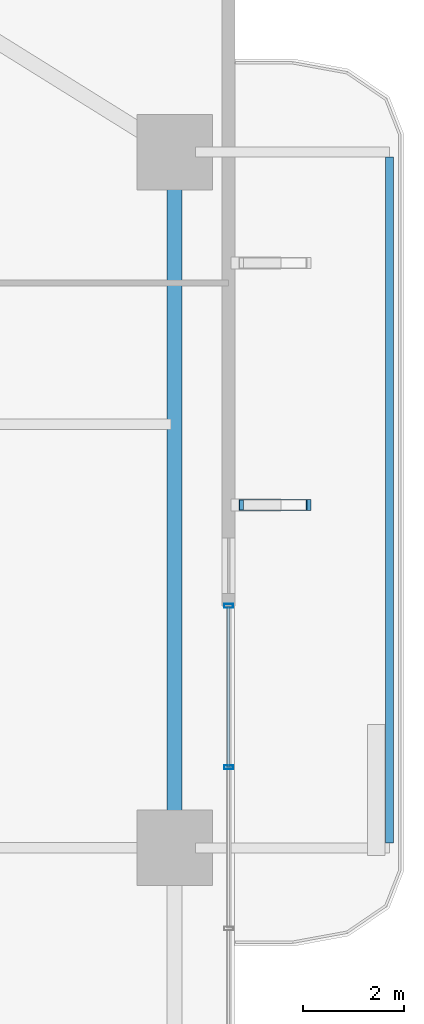
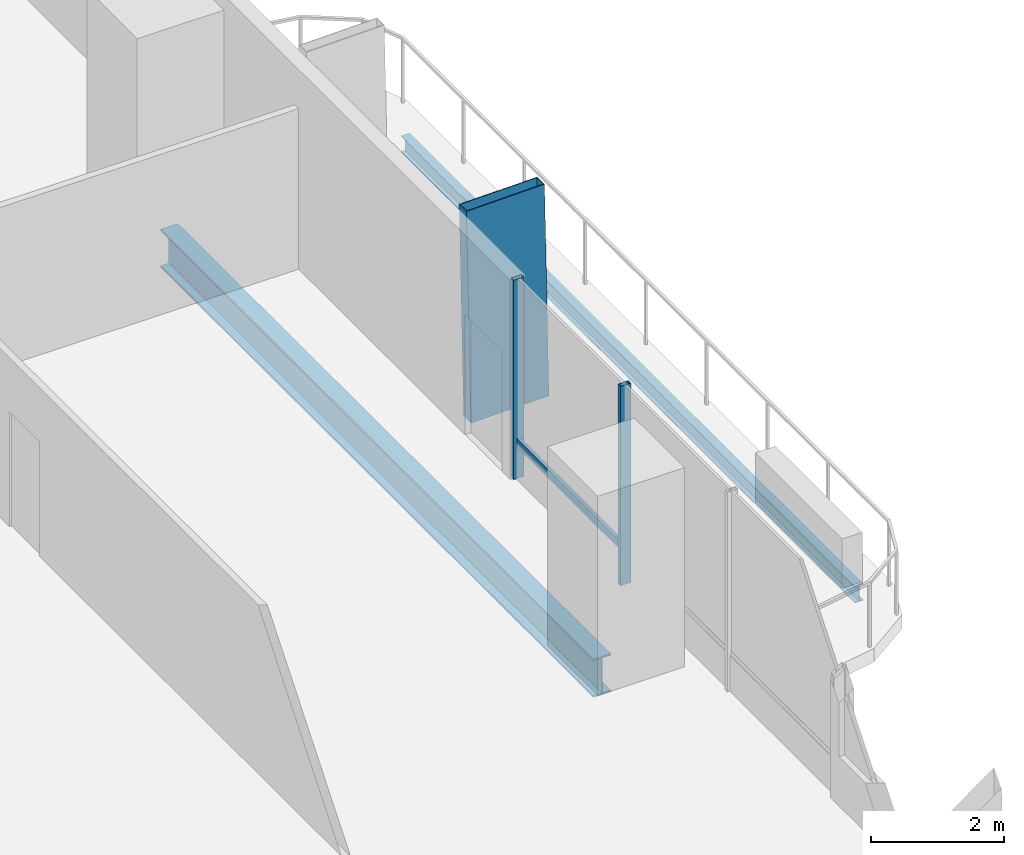
# One storey, part 13 of 24: 4 members, 2 beams, 1 element without a shape of its own.
"""IFC4 building model written with IfcOpenShell, lengths in metres."""

from ifc_helpers import new_model, si_unit, direction, frame, origin, origin_2d, place, context, subcontext, project, spatial, hollow_rectangle, i_section, extrude, material, layer, layer_set, material_profile, profile_set, type_object, element, aggregate, save


model = new_model("IFC4")

# Units and contexts
model_context = context("Model", 3, precision=1e-05, world=origin(), true_north=direction((0.0, 1.0)))
body_context = subcontext(model_context, "Body", "Model", "MODEL_VIEW")
ifc_project = project(units=[si_unit("LENGTHUNIT", "METRE"), si_unit("AREAUNIT", "SQUARE_METRE"), si_unit("VOLUMEUNIT", "CUBIC_METRE"), si_unit("PLANEANGLEUNIT", "RADIAN"), si_unit("MASSUNIT", "GRAM", prefix="KILO")], contexts=[model_context])

# Site, building, storey
site_placement = place(None, origin())
site = spatial("IfcSite", under=ifc_project, at=site_placement, CompositionType="ELEMENT")
building_placement = place(site_placement, origin())
building = spatial("IfcBuilding", under=site, at=building_placement, Name="Belovzor Exchange Tower", CompositionType="ELEMENT")
storey_placement = place(building_placement, frame((0.0, 0.0, 80.699951171875)))
storey = spatial("IfcBuildingStorey", under=building, at=storey_placement, Name="L19", CompositionType="ELEMENT", Elevation=80.699951171875)

# Member
ifc_material_1 = material(Name="Extruded Architectural Terracotta on Steel S355 Carrier", Category="masonry")
ifc_material_profile_1 = material_profile(ifc_material_1, hollow_rectangle(XDim=0.219970703125, YDim=1.35009765625, WallThickness=0.013916015625, at=origin_2d()))
ifc_profile_set_1 = profile_set([ifc_material_profile_1], Name="Extruded Architectural Terracotta on Steel S355 Carrier")
member_type_1 = type_object("IfcMemberType", Name="Base Arc Sweeping Terracotta Pylon Fin 1450", PredefinedType="USERDEFINED", material=ifc_profile_set_1)
member_1_placement = place(storey_placement, frame((57.528076171875, 35.60009765625, -0.25), z_axis=(-0.020027281305, 0.0, 0.999799433888), x_axis=(0.0, -1.0, 0.0)))
element("IfcMember", 1, at=member_1_placement, inside=storey, type_object=member_type_1, Name="FIN-TC145 Terracotta Facade Fin L19 E3", ObjectType="FIN", PredefinedType="USERDEFINED", context=body_context, shape_type="SweptSolid", body=[
    extrude(hollow_rectangle(XDim=0.219970703125, YDim=1.35009765625, WallThickness=0.013916015625, at=origin_2d()), origin(), (0.0, 0.0, 1.0), 3.90087890625),
])

# Beam
ifc_material_2 = material(Name="Steel S355", Category="steel")
ifc_material_profile_2 = material_profile(ifc_material_2, i_section(OverallWidth=0.14990234375, OverallDepth=0.300048828125, WebThickness=0.007080078125, FlangeThickness=0.0107421875, at=origin_2d()))
ifc_profile_set_2 = profile_set([ifc_material_profile_2], Name="Steel S355")
beam_type_1 = type_object("IfcBeamType", Name="Planted Balcony Fascia Edge Beam IPE 300", PredefinedType="BEAM", material=ifc_profile_set_2)
beam_1_placement = place(storey_placement, frame((59.762939453125, 28.89990234375, -0.39990234375), z_axis=(0.0, 1.0, 0.0), x_axis=(-1.0, 0.0, 0.0)))
element("IfcBeam", 2, at=beam_1_placement, inside=storey, type_object=beam_type_1, Name="BC-300 Planted Balcony Fascia Edge Beam IPE 300", PredefinedType="BEAM", context=body_context, shape_type="SweptSolid", body=[
    extrude(i_section(OverallWidth=0.14990234375, OverallDepth=0.300048828125, WebThickness=0.007080078125, FlangeThickness=0.0107421875, at=origin_2d()), origin(), (0.0, 0.0, 1.0), 13.60009765625),
])

# Curtain wall, members
ifc_material_3 = material(Name="Anodised Aluminium Framing", Category="aluminium")
ifc_layer = layer(ifc_material_3, 0.179931640625)
ifc_layer_set = layer_set([ifc_layer], Name="Anodised Aluminium Framing")
curtain_wall_type = type_object("IfcCurtainWallType", Name="Recessed Loggia Low-Iron Triple-Glazed Curtain Wall", PredefinedType="NOTDEFINED", material=ifc_layer_set)
curtain_wall_placement = place(storey_placement, origin())
curtain_wall = element("IfcCurtainWall", 3, at=curtain_wall_placement, inside=storey, type_object=curtain_wall_type, Name="CW3 Recessed Loggia Low-Iron Triple-Glazed Curtain Wall L19", PredefinedType="NOTDEFINED")
ifc_material_4 = material(Name="Steel S355", Category="steel")
ifc_material_profile_3 = material_profile(ifc_material_4, hollow_rectangle(XDim=0.074951171875, YDim=0.179931640625, WallThickness=0.0048828125, at=origin_2d()))
ifc_profile_set_3 = profile_set([ifc_material_profile_3], Name="Steel S355")
member_type_2 = type_object("IfcMemberType", Name="Thermally Broken Curtain Wall Mullion 180x75", PredefinedType="MULLION", material=ifc_profile_set_3)
member_2_placement = place(storey_placement, frame((56.570068359375, 33.60009765625, 0.0), z_axis=(0.0, 0.0, 1.0), x_axis=(0.0, -1.0, 0.0)))
member_2 = element("IfcMember", 4, at=member_2_placement, type_object=member_type_2, Name="CW-M180 Curtain Wall Mullion 1", PredefinedType="MULLION", context=body_context, shape_type="SweptSolid", body=[
    extrude(hollow_rectangle(XDim=0.074951171875, YDim=0.179931640625, WallThickness=0.0048828125, at=origin_2d()), origin(), (0.0, 0.0, 1.0), 3.650146484375),
])
member_3_placement = place(storey_placement, frame((56.570068359375, 30.39990234375, 0.0), z_axis=(0.0, 0.0, 1.0), x_axis=(0.0, -1.0, 0.0)))
member_3 = element("IfcMember", 5, at=member_3_placement, type_object=member_type_2, Name="CW-M180 Curtain Wall Mullion 2", PredefinedType="MULLION", context=body_context, shape_type="SweptSolid", body=[
    extrude(hollow_rectangle(XDim=0.074951171875, YDim=0.179931640625, WallThickness=0.0048828125, at=origin_2d()), origin(), (0.0, 0.0, 1.0), 3.650146484375),
])
ifc_material_5 = material(Name="Steel S355", Category="steel")
ifc_material_profile_4 = material_profile(ifc_material_5, hollow_rectangle(XDim=0.06005859375, YDim=0.14990234375, WallThickness=0.00390625, at=origin_2d()))
ifc_profile_set_4 = profile_set([ifc_material_profile_4], Name="Steel S355")
member_type_3 = type_object("IfcMemberType", Name="Thermally Broken Curtain Wall Transom 150x60", PredefinedType="USERDEFINED", material=ifc_profile_set_4)
member_4_placement = place(storey_placement, frame((56.570068359375, 33.592041015625, 0.650146484375), z_axis=(0.0, -1.0, 0.0), x_axis=(1.0, 0.0, 0.0)))
member_4 = element("IfcMember", 6, at=member_4_placement, type_object=member_type_3, Name="CW-T150 Curtain Wall Transom 1", ObjectType="TRANSOM", PredefinedType="USERDEFINED", context=body_context, shape_type="SweptSolid", body=[
    extrude(hollow_rectangle(XDim=0.06005859375, YDim=0.14990234375, WallThickness=0.00390625, at=origin_2d()), origin(), (0.0, 0.0, 1.0), 3.18408203125),
])
aggregate(curtain_wall, [member_2, member_3, member_4])

# Beam
ifc_material_6 = material(Name="Steel S355", Category="steel")
ifc_material_profile_5 = material_profile(ifc_material_6, i_section(OverallWidth=0.300048828125, OverallDepth=0.699951171875, WebThickness=0.01708984375, FlangeThickness=0.031982421875, at=origin_2d()))
ifc_profile_set_5 = profile_set([ifc_material_profile_5], Name="Steel S355")
beam_type_2 = type_object("IfcBeamType", Name="Zone 1 Primary Perimeter Girder HEB 700", PredefinedType="BEAM", material=ifc_profile_set_5)
beam_2_placement = place(storey_placement, frame((55.5, 29.212890625, -0.599853515625), z_axis=(0.0, 1.0, 0.0), x_axis=(-1.0, 0.0, 0.0)))
element("IfcBeam", 7, at=beam_2_placement, inside=storey, type_object=beam_type_2, Name="FG-Z1 Zone 1 Primary Perimeter Girder HEB 700", PredefinedType="BEAM", context=body_context, shape_type="SweptSolid", body=[
    extrude(i_section(OverallWidth=0.300048828125, OverallDepth=0.699951171875, WebThickness=0.01708984375, FlangeThickness=0.031982421875, at=origin_2d()), origin(), (0.0, 0.0, 1.0), 12.97509765625),
])

save(model, "model.ifc")
